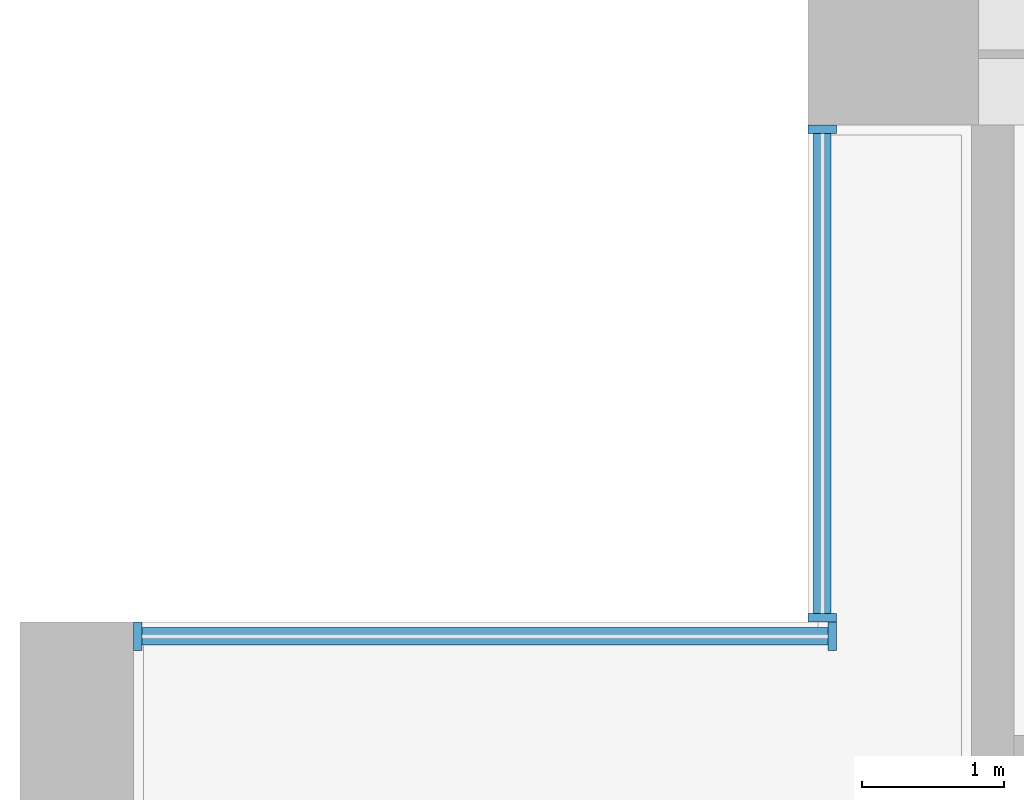
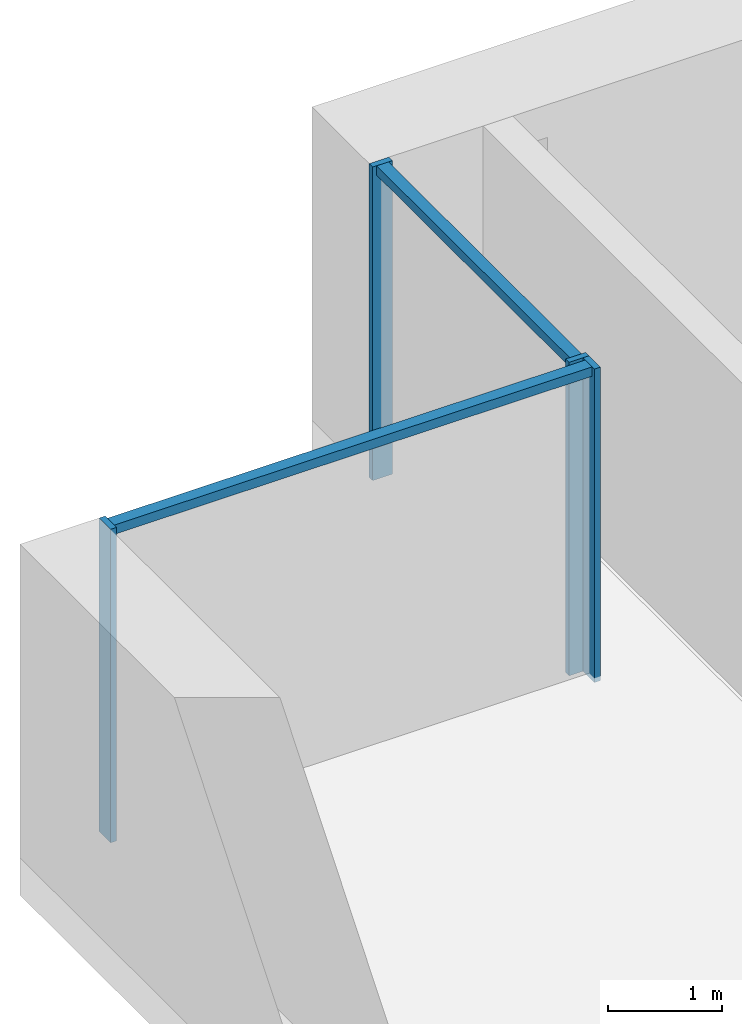
# One storey, part 4 of 18: 6 members, 2 elements without a shape of their own.
"""IFC4 building model written with IfcOpenShell, lengths in metres."""

from ifc_helpers import new_model, si_unit, direction, frame, origin, origin_2d, place, context, subcontext, project, spatial, rectangle, extrude, material, material_profile, profile_set, type_object, element, aggregate, save


model = new_model("IFC4")

# Units and contexts
model_context = context("Model", 3, precision=1e-05, world=origin(), true_north=direction((0.0, 1.0)))
body_context = subcontext(model_context, "Body", "Model", "MODEL_VIEW")
ifc_project = project(units=[si_unit("LENGTHUNIT", "METRE"), si_unit("AREAUNIT", "SQUARE_METRE"), si_unit("VOLUMEUNIT", "CUBIC_METRE"), si_unit("PLANEANGLEUNIT", "RADIAN"), si_unit("MASSUNIT", "GRAM", prefix="KILO")], contexts=[model_context])

# Site, building, storey
site_placement = place(None, origin())
site = spatial("IfcSite", under=ifc_project, at=site_placement, CompositionType="ELEMENT")
building_placement = place(site_placement, origin())
building = spatial("IfcBuilding", under=site, at=building_placement, Name="Calvaro Tower", CompositionType="ELEMENT")
storey_placement = place(building_placement, frame((0.0, 0.0, 60.0)))
storey = spatial("IfcBuildingStorey", under=building, at=storey_placement, Name="L14", CompositionType="ELEMENT", Elevation=60.0)

# Curtain wall, members
ifc_material_1 = material(Name="Anodised aluminium", Category="aluminium")
curtain_wall_type = type_object("IfcCurtainWallType", Name="Office curtain wall, lower zone", PredefinedType="NOTDEFINED", material=ifc_material_1)
curtain_wall_1_placement = place(storey_placement, origin())
curtain_wall_1 = element("IfcCurtainWall", 1, at=curtain_wall_1_placement, inside=storey, type_object=curtain_wall_type, Name="CW1 corner curtain wall", PredefinedType="NOTDEFINED")
ifc_material_2 = material(Name="Anodised aluminium", Category="aluminium")
ifc_material_profile_1 = material_profile(ifc_material_2, rectangle(XDim=0.199951171875, YDim=0.06005859375, at=origin_2d()), Name="Mullion S1 60 x 200")
ifc_profile_set_1 = profile_set([ifc_material_profile_1], Name="Anodised aluminium")
member_type_1 = type_object("IfcMemberType", Name="Mullion S1 60 x 200", PredefinedType="MULLION", material=ifc_profile_set_1)
member_1_placement = place(storey_placement, frame((5.64990234375, 41.530029296875, 0.0), z_axis=(0.0, 0.0, 1.0), x_axis=(-1.0, 0.0, 0.0)))
member_1 = element("IfcMember", 2, at=member_1_placement, type_object=member_type_1, Name="CW1 mullion 1", PredefinedType="MULLION", context=body_context, shape_type="SweptSolid", body=[
    extrude(rectangle(XDim=0.199951171875, YDim=0.06005859375, at=origin_2d()), origin(), (0.0, 0.0, 1.0), 3.35009765625),
])
member_2_placement = place(storey_placement, frame((5.64990234375, 44.969970703125, 0.0), z_axis=(0.0, 0.0, 1.0), x_axis=(-1.0, 0.0, 0.0)))
member_2 = element("IfcMember", 3, at=member_2_placement, type_object=member_type_1, Name="CW1 mullion 2", PredefinedType="MULLION", context=body_context, shape_type="SweptSolid", body=[
    extrude(rectangle(XDim=0.199951171875, YDim=0.06005859375, at=origin_2d()), origin(), (0.0, 0.0, 1.0), 3.35009765625),
])

curtain_wall_2_placement = place(storey_placement, origin())
curtain_wall_2 = element("IfcCurtainWall", 4, at=curtain_wall_2_placement, inside=storey, type_object=curtain_wall_type, Name="CW1 corner curtain wall", PredefinedType="NOTDEFINED")
member_3_placement = place(storey_placement, frame((0.830078125, 41.39990234375, 0.0), z_axis=(0.0, 0.0, 1.0), x_axis=(0.0, 1.0, 0.0)))
member_3 = element("IfcMember", 5, at=member_3_placement, type_object=member_type_1, Name="CW1 mullion 1", PredefinedType="MULLION", context=body_context, shape_type="SweptSolid", body=[
    extrude(rectangle(XDim=0.199951171875, YDim=0.06005859375, at=origin_2d()), origin(), (0.0, 0.0, 1.0), 3.35009765625),
])
member_4_placement = place(storey_placement, frame((5.719970703125, 41.39990234375, 0.0), z_axis=(0.0, 0.0, 1.0), x_axis=(0.0, 1.0, 0.0)))
member_4 = element("IfcMember", 6, at=member_4_placement, type_object=member_type_1, Name="CW1 mullion 2", PredefinedType="MULLION", context=body_context, shape_type="SweptSolid", body=[
    extrude(rectangle(XDim=0.199951171875, YDim=0.06005859375, at=origin_2d()), origin(), (0.0, 0.0, 1.0), 3.35009765625),
])

# Member
ifc_material_3 = material(Name="Anodised aluminium", Category="aluminium")
ifc_material_profile_2 = material_profile(ifc_material_3, rectangle(XDim=0.1201171875, YDim=0.10009765625, at=origin_2d()), Name="Transom S1 100 x 120")
ifc_profile_set_2 = profile_set([ifc_material_profile_2], Name="Anodised aluminium")
member_type_2 = type_object("IfcMemberType", Name="Transom S1 100 x 120", PredefinedType="USERDEFINED", material=ifc_profile_set_2)
member_5_placement = place(storey_placement, frame((5.64990234375, 41.56005859375, 3.300048828125), z_axis=(0.0, 1.0, 0.0), x_axis=(-1.0, 0.0, 0.0)))
member_5 = element("IfcMember", 7, at=member_5_placement, type_object=member_type_2, Name="CW1 transom 1.1", ObjectType="TRANSOM", PredefinedType="USERDEFINED", context=body_context, shape_type="SweptSolid", body=[
    extrude(rectangle(XDim=0.1201171875, YDim=0.10009765625, at=origin_2d()), origin(), (0.0, 0.0, 1.0), 3.3798828125),
])

aggregate(curtain_wall_1, [member_1, member_2, member_5])

member_6_placement = place(storey_placement, frame((0.860107421875, 41.39990234375, 3.300048828125), z_axis=(1.0, 0.0, 0.0), x_axis=(0.0, 1.0, 0.0)))
member_6 = element("IfcMember", 8, at=member_6_placement, type_object=member_type_2, Name="CW1 transom 1.1", ObjectType="TRANSOM", PredefinedType="USERDEFINED", context=body_context, shape_type="SweptSolid", body=[
    extrude(rectangle(XDim=0.1201171875, YDim=0.10009765625, at=origin_2d()), origin(), (0.0, 0.0, 1.0), 4.829833984375),
])

aggregate(curtain_wall_2, [member_3, member_4, member_6])

save(model, "model.ifc")
